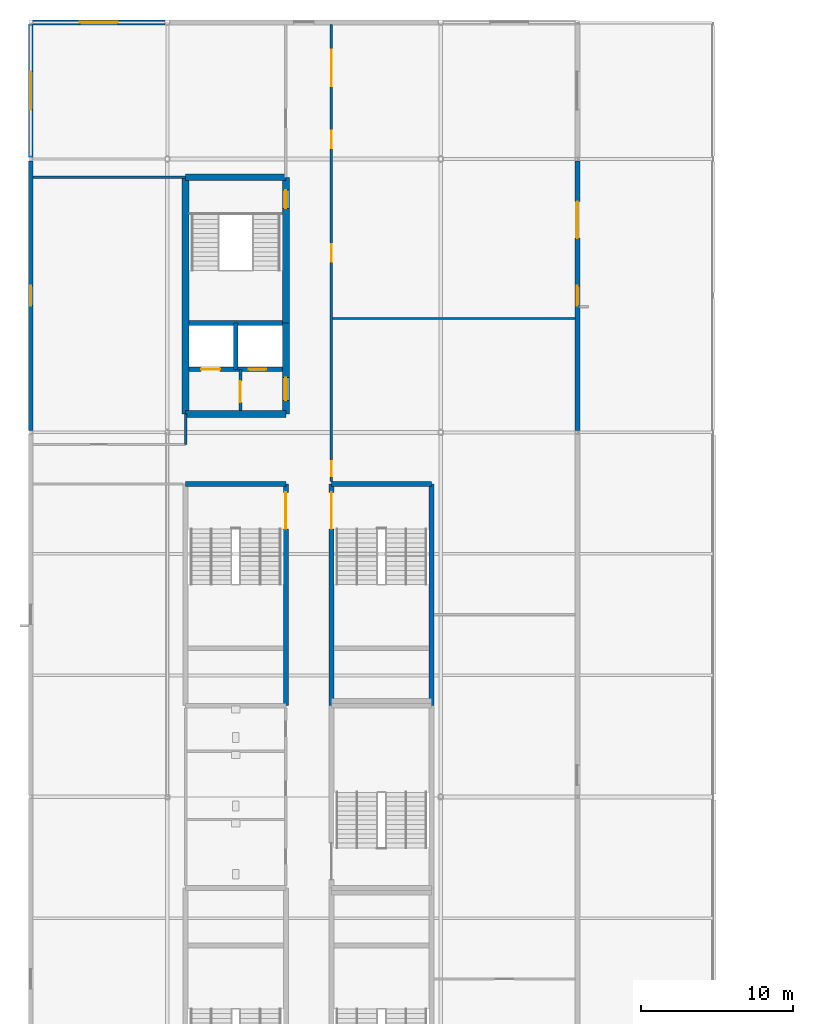
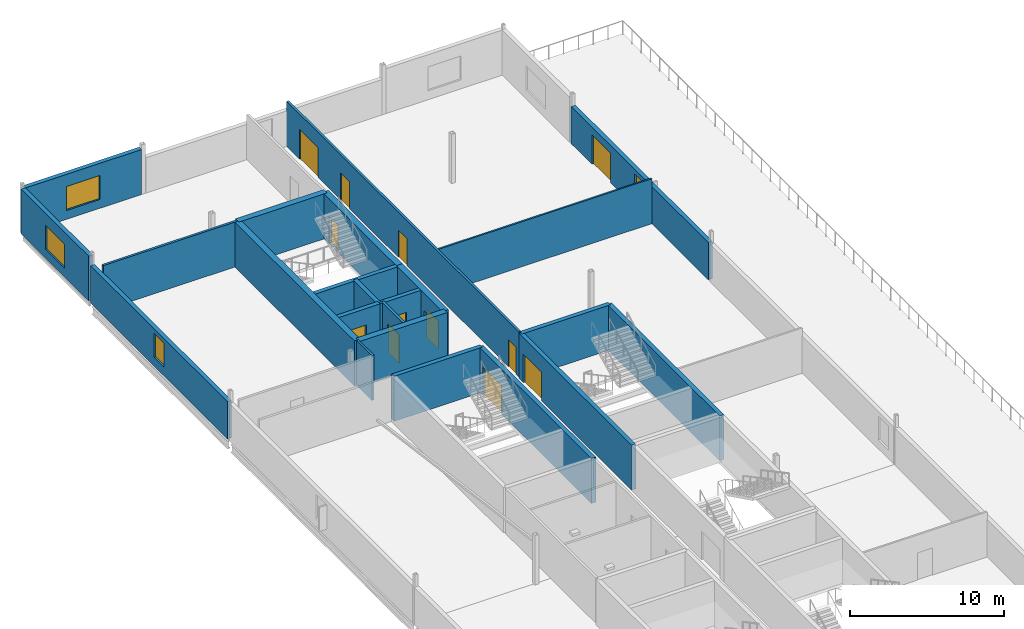
# One storey, part 29 of 55: 23 walls, 12 doors, 4 windows, 16 openings.
"""IFC4 building model written with IfcOpenShell, lengths in metres."""

from ifc_helpers import new_model, si_unit, direction, frame, frame_2d, origin, place, context, subcontext, project, spatial, rectangle, extrude, material, layer, layer_set, type_object, element, fill, save


model = new_model("IFC4")

# Units and contexts
model_context = context("Model", 3, precision=1e-05, world=origin(), true_north=direction((0.0, 1.0)))
body_context = subcontext(model_context, "Body", "Model", "MODEL_VIEW")
ifc_project = project(units=[si_unit("LENGTHUNIT", "METRE"), si_unit("AREAUNIT", "SQUARE_METRE"), si_unit("VOLUMEUNIT", "CUBIC_METRE"), si_unit("PLANEANGLEUNIT", "RADIAN"), si_unit("MASSUNIT", "GRAM", prefix="KILO")], contexts=[model_context])

# Site, building, storey
site_placement = place(None, origin())
site = spatial("IfcSite", under=ifc_project, at=site_placement, CompositionType="ELEMENT")
building_placement = place(site_placement, origin())
building = spatial("IfcBuilding", under=site, at=building_placement, Name="Kisiwana Market Hall", CompositionType="ELEMENT")
storey_placement = place(building_placement, frame((0.0, 0.0, 37.800048828125)))
storey = spatial("IfcBuildingStorey", under=building, at=storey_placement, Name="L08", CompositionType="ELEMENT", Elevation=37.800048828125)

# Wall, opening, door
ifc_material_1 = material(Name="Masonry blockwork", Category="masonry")
ifc_layer_1 = layer(ifc_material_1, 0.199951171875, Name="Plastered fire compartment block wall")
ifc_layer_set_1 = layer_set([ifc_layer_1], Name="WL-COMP-200")
wall_type_1 = type_object("IfcWallType", Name="WL-COMP-200", PredefinedType="PARTITIONING", material=ifc_layer_set_1)
wall_1_placement = place(storey_placement, frame((13.800048828125, 85.425048828125, 0.0), z_axis=(0.0, 0.0, 1.0), x_axis=(0.0, 1.0, 0.0)))
wall_1 = element("IfcWall", 1, at=wall_1_placement, inside=storey, type_object=wall_type_1, Name="Core W1 firefighting lobby wall W-2380", PredefinedType="PARTITIONING", context=body_context, shape_type="SweptSolid", body=[
    extrude(rectangle(XDim=2.72998046875, YDim=0.199951171875, at=frame_2d((1.364990234375, 0.0))), origin(), (0.0, 0.0, 1.0), 3.56494140625),
])
opening_1_placement = place(wall_1_placement, frame((0.550048828125, 0.0, 0.0)))
opening_1 = element("IfcOpeningElement", 2, at=opening_1_placement, cuts=wall_1, Name="Opening DR-L08-006", PredefinedType="OPENING", context=body_context, shape_type="SweptSolid", body=[
    extrude(rectangle(XDim=1.39990234375, YDim=2.25, at=frame_2d((0.699951171875, 1.125))), frame((0.0, 0.11181640625, 0.0), z_axis=(0.0, -1.0, 0.0), x_axis=(1.0, 0.0, 0.0)), (0.0, 0.0, 1.0), 0.223876953125),
])
ifc_material_2 = material(Name="Steel S275", Category="steel")
door_type_1 = type_object("IfcDoorType", Name="DR-FFLOB-FD120-1400", OperationType="DOUBLE_DOOR_SINGLE_SWING", PredefinedType="DOOR", material=ifc_material_2)
door_1_placement = place(opening_1_placement, frame((1.39990234375, 0.0, 0.0), z_axis=(0.0, 0.0, 1.0), x_axis=(-1.0, 0.0, 0.0)))
door_1 = element("IfcDoor", 3, at=door_1_placement, inside=storey, type_object=door_type_1, Name="Firefighting Lift Lobby W1 Door (L08)", OperationType="DOUBLE_DOOR_SINGLE_SWING", OverallHeight=2.25, OverallWidth=1.39990234375, PredefinedType="DOOR", context=body_context, shape_type="SweptSolid", body=[
    extrude(rectangle(XDim=1.39990234375, YDim=2.25, at=frame_2d((0.699951171875, 1.125))), frame((0.0, 0.02490234375, 0.0), z_axis=(0.0, -1.0, 0.0), x_axis=(1.0, 0.0, 0.0)), (0.0, 0.0, 1.0), 0.050048828125),
])
fill(opening_1, door_1)

# Walls
ifc_material_3 = material(Name="Concrete C40/50", Category="concrete")
ifc_layer_2 = layer(ifc_material_3, 0.320068359375, Name="Reinforced concrete shaft wall")
ifc_layer_set_2 = layer_set([ifc_layer_2], Name="WL-CORE-320")
wall_type_2 = type_object("IfcWallType", Name="WL-CORE-320", PredefinedType="SHEAR", material=ifc_layer_set_2)
wall_2_placement = place(storey_placement, frame((10.425048828125, 91.215087890625, 0.0), z_axis=(0.0, 0.0, 1.0), x_axis=(1.0, 0.0, 0.0)))
element("IfcWall", 4, at=wall_2_placement, inside=storey, type_object=wall_type_2, Name="Core W1 shaft back shear wall W-2276", PredefinedType="SHEAR", context=body_context, shape_type="SweptSolid", body=[
    extrude(rectangle(XDim=6.14990234375, YDim=0.320068359375, at=frame_2d((3.074951171875, 0.0))), origin(), (0.0, 0.0, 1.0), 3.56494140625),
])
wall_3_placement = place(storey_placement, frame((13.5, 88.155029296875, 0.0), z_axis=(0.0, 0.0, 1.0), x_axis=(0.0, 1.0, 0.0)))
element("IfcWall", 5, at=wall_3_placement, inside=storey, type_object=wall_type_2, Name="Core W1 inter-shaft shear wall W-2277", PredefinedType="SHEAR", context=body_context, shape_type="SweptSolid", body=[
    extrude(rectangle(XDim=3.06005859375, YDim=0.320068359375, at=frame_2d((1.530029296875, 0.0))), origin(), (0.0, 0.0, 1.0), 3.56494140625),
])

# Wall, opening, door
wall_4_placement = place(storey_placement, frame((10.425048828125, 88.155029296875, 0.0), z_axis=(0.0, 0.0, 1.0), x_axis=(1.0, 0.0, 0.0)))
wall_4 = element("IfcWall", 6, at=wall_4_placement, inside=storey, type_object=wall_type_2, Name="Core W1 west lift front wall W-2278", PredefinedType="SHEAR", context=body_context, shape_type="SweptSolid", body=[
    extrude(rectangle(XDim=3.074951171875, YDim=0.320068359375, at=frame_2d((1.53759765625, 0.0))), origin(), (0.0, 0.0, 1.0), 3.56494140625),
])
opening_2_placement = place(wall_4_placement, frame((0.800048828125, 0.0, 0.0)))
opening_2 = element("IfcOpeningElement", 7, at=opening_2_placement, cuts=wall_4, Name="Opening LD-L08-003", PredefinedType="OPENING", context=body_context, shape_type="SweptSolid", body=[
    extrude(rectangle(XDim=1.25, YDim=2.25, at=frame_2d((0.625, 1.125))), frame((0.0, 0.171875, 0.0), z_axis=(0.0, -1.0, 0.0), x_axis=(1.0, 0.0, 0.0)), (0.0, 0.0, 1.0), 0.343994140625),
])
ifc_material_4 = material(Name="Steel S275", Category="steel")
door_type_2 = type_object("IfcDoorType", Name="DR-LIFT-FFL-1250", OperationType="DOUBLE_DOOR_SLIDING", PredefinedType="DOOR", material=ifc_material_4)
door_2_placement = place(opening_2_placement, origin())
door_2 = element("IfcDoor", 8, at=door_2_placement, inside=storey, type_object=door_type_2, Name="Lift Landing Door FFL-02 (L08)", OperationType="DOUBLE_DOOR_SLIDING", OverallHeight=2.25, OverallWidth=1.25, PredefinedType="DOOR", context=body_context, shape_type="SweptSolid", body=[
    extrude(rectangle(XDim=1.25, YDim=2.25, at=frame_2d((0.625, 1.125))), frame((0.0, 0.02490234375, 0.0), z_axis=(0.0, -1.0, 0.0), x_axis=(1.0, 0.0, 0.0)), (0.0, 0.0, 1.0), 0.050048828125),
])
fill(opening_2, door_2)

wall_5_placement = place(storey_placement, frame((13.5, 88.155029296875, 0.0), z_axis=(0.0, 0.0, 1.0), x_axis=(1.0, 0.0, 0.0)))
wall_5 = element("IfcWall", 9, at=wall_5_placement, inside=storey, type_object=wall_type_2, Name="Core W1 east lift front wall W-2279", PredefinedType="SHEAR", context=body_context, shape_type="SweptSolid", body=[
    extrude(rectangle(XDim=3.074951171875, YDim=0.320068359375, at=frame_2d((1.53759765625, 0.0))), origin(), (0.0, 0.0, 1.0), 3.56494140625),
])
opening_3_placement = place(wall_5_placement, frame((0.85009765625, 0.0, 0.0)))
opening_3 = element("IfcOpeningElement", 10, at=opening_3_placement, cuts=wall_5, Name="Opening LD-L08-004", PredefinedType="OPENING", context=body_context, shape_type="SweptSolid", body=[
    extrude(rectangle(XDim=1.14990234375, YDim=2.199951171875, at=frame_2d((0.574951171875, 1.10009765625))), frame((0.0, 0.171875, 0.0), z_axis=(0.0, -1.0, 0.0), x_axis=(1.0, 0.0, 0.0)), (0.0, 0.0, 1.0), 0.343994140625),
])
ifc_material_5 = material(Name="Steel S275", Category="steel")
door_type_3 = type_object("IfcDoorType", Name="DR-LIFT-PAX-1150", OperationType="DOUBLE_DOOR_SLIDING", PredefinedType="DOOR", material=ifc_material_5)
door_3_placement = place(opening_3_placement, origin())
door_3 = element("IfcDoor", 11, at=door_3_placement, inside=storey, type_object=door_type_3, Name="Lift Landing Door LP-02 (L08)", OperationType="DOUBLE_DOOR_SLIDING", OverallHeight=2.199951171875, OverallWidth=1.14990234375, PredefinedType="DOOR", context=body_context, shape_type="SweptSolid", body=[
    extrude(rectangle(XDim=1.14990234375, YDim=2.199951171875, at=frame_2d((0.574951171875, 1.10009765625))), frame((0.0, 0.02490234375, 0.0), z_axis=(0.0, -1.0, 0.0), x_axis=(1.0, 0.0, 0.0)), (0.0, 0.0, 1.0), 0.050048828125),
])
fill(opening_3, door_3)

# Wall
wall_6_placement = place(storey_placement, frame((10.199951171875, 80.60009765625, 0.0), z_axis=(0.0, 0.0, 1.0), x_axis=(1.0, 0.0, 0.0)))
element("IfcWall", 12, at=wall_6_placement, inside=storey, type_object=wall_type_2, Name="Core W4 north shear wall W-2304", PredefinedType="SHEAR", context=body_context, shape_type="SweptSolid", body=[
    extrude(rectangle(XDim=6.60009765625, YDim=0.320068359375, at=frame_2d((3.300048828125, 0.0))), origin(), (0.0, 0.0, 1.0), 3.56494140625),
])

# Wall, opening, door
wall_7_placement = place(storey_placement, frame((16.800048828125, 66.0, 0.0), z_axis=(0.0, 0.0, 1.0), x_axis=(0.0, 1.0, 0.0)))
wall_7 = element("IfcWall", 13, at=wall_7_placement, inside=storey, type_object=wall_type_2, Name="Core W4 corridor shear wall W-2306", PredefinedType="SHEAR", context=body_context, shape_type="SweptSolid", body=[
    extrude(rectangle(XDim=14.60009765625, YDim=0.320068359375, at=frame_2d((7.300048828125, 0.0))), origin(), (0.0, 0.0, 1.0), 3.56494140625),
])
opening_4_placement = place(wall_7_placement, frame((11.64990234375, 0.0, 0.0)))
opening_4 = element("IfcOpeningElement", 14, at=opening_4_placement, cuts=wall_7, Name="Opening DR-L08-014", PredefinedType="OPENING", context=body_context, shape_type="SweptSolid", body=[
    extrude(rectangle(XDim=2.39990234375, YDim=2.25, at=frame_2d((1.199951171875, 1.125))), frame((0.0, 0.171875, 0.0), z_axis=(0.0, -1.0, 0.0), x_axis=(1.0, 0.0, 0.0)), (0.0, 0.0, 1.0), 0.343994140625),
])
ifc_material_6 = material(Name="Steel S275", Category="steel")
door_type_4 = type_object("IfcDoorType", Name="DR-STAIR-FD120-2400", OperationType="DOUBLE_DOOR_SINGLE_SWING", PredefinedType="DOOR", material=ifc_material_6)
door_4_placement = place(opening_4_placement, origin())
door_4 = element("IfcDoor", 15, at=door_4_placement, inside=storey, type_object=door_type_4, Name="Escape Stair W4 Fire Door (L08)", OperationType="DOUBLE_DOOR_SINGLE_SWING", OverallHeight=2.25, OverallWidth=2.39990234375, PredefinedType="DOOR", context=body_context, shape_type="SweptSolid", body=[
    extrude(rectangle(XDim=2.39990234375, YDim=2.25, at=frame_2d((1.199951171875, 1.125))), frame((0.0, 0.02490234375, 0.0), z_axis=(0.0, -1.0, 0.0), x_axis=(1.0, 0.0, 0.0)), (0.0, 0.0, 1.0), 0.050048828125),
])
fill(opening_4, door_4)

# Wall
wall_8_placement = place(storey_placement, frame((19.800048828125, 80.60009765625, 0.0), z_axis=(0.0, 0.0, 1.0), x_axis=(1.0, 0.0, 0.0)))
element("IfcWall", 16, at=wall_8_placement, inside=storey, type_object=wall_type_2, Name="Core W8 north shear wall W-2329", PredefinedType="SHEAR", context=body_context, shape_type="SweptSolid", body=[
    extrude(rectangle(XDim=6.599853515625, YDim=0.320068359375, at=frame_2d((3.2998046875, 0.0))), origin(), (0.0, 0.0, 1.0), 3.56494140625),
])

# Wall, opening, door
wall_9_placement = place(storey_placement, frame((19.800048828125, 66.0, 0.0), z_axis=(0.0, 0.0, 1.0), x_axis=(0.0, 1.0, 0.0)))
wall_9 = element("IfcWall", 17, at=wall_9_placement, inside=storey, type_object=wall_type_2, Name="Core W8 corridor shear wall W-2330", PredefinedType="SHEAR", context=body_context, shape_type="SweptSolid", body=[
    extrude(rectangle(XDim=14.60009765625, YDim=0.320068359375, at=frame_2d((7.300048828125, 0.0))), origin(), (0.0, 0.0, 1.0), 3.56494140625),
])
opening_5_placement = place(wall_9_placement, frame((11.64990234375, 0.0, 0.0)))
opening_5 = element("IfcOpeningElement", 18, at=opening_5_placement, cuts=wall_9, Name="Opening DR-L08-019", PredefinedType="OPENING", context=body_context, shape_type="SweptSolid", body=[
    extrude(rectangle(XDim=2.39990234375, YDim=2.25, at=frame_2d((1.199951171875, 1.125))), frame((0.0, 0.171875, 0.0), z_axis=(0.0, -1.0, 0.0), x_axis=(1.0, 0.0, 0.0)), (0.0, 0.0, 1.0), 0.343994140625),
])
door_5_placement = place(opening_5_placement, frame((2.39990234375, 0.0, 0.0), z_axis=(0.0, 0.0, 1.0), x_axis=(-1.0, 0.0, 0.0)))
door_5 = element("IfcDoor", 19, at=door_5_placement, inside=storey, type_object=door_type_4, Name="Escape Stair W8 Fire Door (L08)", OperationType="DOUBLE_DOOR_SINGLE_SWING", OverallHeight=2.25, OverallWidth=2.39990234375, PredefinedType="DOOR", context=body_context, shape_type="SweptSolid", body=[
    extrude(rectangle(XDim=2.39990234375, YDim=2.25, at=frame_2d((1.199951171875, 1.125))), frame((0.0, 0.02490234375, 0.0), z_axis=(0.0, -1.0, 0.0), x_axis=(1.0, 0.0, 0.0)), (0.0, 0.0, 1.0), 0.050048828125),
])
fill(opening_5, door_5)

# Walls
wall_10_placement = place(storey_placement, frame((26.39990234375, 66.0, 0.0), z_axis=(0.0, 0.0, 1.0), x_axis=(0.0, 1.0, 0.0)))
element("IfcWall", 20, at=wall_10_placement, inside=storey, type_object=wall_type_2, Name="Core W8 outer shear wall W-2331", PredefinedType="SHEAR", context=body_context, shape_type="SweptSolid", body=[
    extrude(rectangle(XDim=14.60009765625, YDim=0.320068359375, at=frame_2d((7.300048828125, 0.0))), origin(), (0.0, 0.0, 1.0), 3.56494140625),
])
ifc_material_7 = material(Name="Concrete C40/50", Category="concrete")
ifc_layer_3 = layer(ifc_material_7, 0.449951171875, Name="Reinforced concrete core wall")
ifc_layer_set_3 = layer_set([ifc_layer_3], Name="WL-CORE-450")
wall_type_3 = type_object("IfcWallType", Name="WL-CORE-450", PredefinedType="SHEAR", material=ifc_layer_set_3)
for number, where, z_axis, x_axis, name in (
    (21, (10.199951171875, 85.199951171875, 0.0), (0.0, 0.0, 1.0), (1.0, 0.0, 0.0), "Core W1 south shear wall W-2271"),
    (22, (10.199951171875, 100.800048828125, 0.0), (0.0, 0.0, 1.0), (1.0, 0.0, 0.0), "Core W1 north shear wall W-2272"),
):
    element("IfcWall", number, at=place(storey_placement, frame(where, z_axis=z_axis, x_axis=x_axis)), inside=storey, type_object=wall_type_3, Name=name, PredefinedType="SHEAR", context=body_context, shape_type="SweptSolid", body=[
        extrude(rectangle(XDim=6.60009765625, YDim=0.449951171875, at=frame_2d((3.300048828125, 0.0))), origin(), (0.0, 0.0, 1.0), 3.56494140625),
    ])
wall_11_placement = place(storey_placement, frame((10.199951171875, 85.199951171875, 0.0), z_axis=(0.0, 0.0, 1.0), x_axis=(0.0, 1.0, 0.0)))
element("IfcWall", 23, at=wall_11_placement, inside=storey, type_object=wall_type_3, Name="Core W1 outer shear wall W-2273", PredefinedType="SHEAR", context=body_context, shape_type="SweptSolid", body=[
    extrude(rectangle(XDim=15.60009765625, YDim=0.449951171875, at=frame_2d((7.800048828125, 0.0))), origin(), (0.0, 0.0, 1.0), 3.56494140625),
])

# Wall, opening, door
wall_12_placement = place(storey_placement, frame((16.800048828125, 85.199951171875, 0.0), z_axis=(0.0, 0.0, 1.0), x_axis=(0.0, 1.0, 0.0)))
wall_12 = element("IfcWall", 24, at=wall_12_placement, inside=storey, type_object=wall_type_3, Name="Core W1 lobby corridor shear wall W-2274", PredefinedType="SHEAR", context=body_context, shape_type="SweptSolid", body=[
    extrude(rectangle(XDim=6.01513671875, YDim=0.449951171875, at=frame_2d((3.007568359375, 0.0))), origin(), (0.0, 0.0, 1.0), 3.56494140625),
])
opening_6_placement = place(wall_12_placement, frame((0.89990234375, 0.0, 0.0)))
opening_6 = element("IfcOpeningElement", 25, at=opening_6_placement, cuts=wall_12, Name="Opening DR-L08-004", PredefinedType="OPENING", context=body_context, shape_type="SweptSolid", body=[
    extrude(rectangle(XDim=1.5, YDim=2.199951171875, at=frame_2d((0.75, 1.10009765625))), frame((0.0, 0.23681640625, 0.0), z_axis=(0.0, -1.0, 0.0), x_axis=(1.0, 0.0, 0.0)), (0.0, 0.0, 1.0), 0.473876953125),
])
ifc_material_8 = material(Name="Steel S275", Category="steel")
door_type_5 = type_object("IfcDoorType", Name="DR-CORR-FD60-1500", OperationType="DOUBLE_DOOR_SINGLE_SWING", PredefinedType="DOOR", material=ifc_material_8)
door_6_placement = place(opening_6_placement, frame((1.5, 0.0, 0.0), z_axis=(0.0, 0.0, 1.0), x_axis=(-1.0, 0.0, 0.0)))
door_6 = element("IfcDoor", 26, at=door_6_placement, inside=storey, type_object=door_type_5, Name="Passenger Lift Lobby W1 Smoke Door (L08)", OperationType="DOUBLE_DOOR_SINGLE_SWING", OverallHeight=2.199951171875, OverallWidth=1.5, PredefinedType="DOOR", context=body_context, shape_type="SweptSolid", body=[
    extrude(rectangle(XDim=1.5, YDim=2.199951171875, at=frame_2d((0.75, 1.10009765625))), frame((0.0, 0.02490234375, 0.0), z_axis=(0.0, -1.0, 0.0), x_axis=(1.0, 0.0, 0.0)), (0.0, 0.0, 1.0), 0.050048828125),
])
fill(opening_6, door_6)

wall_13_placement = place(storey_placement, frame((16.800048828125, 91.215087890625, 0.0), z_axis=(0.0, 0.0, 1.0), x_axis=(0.0, 1.0, 0.0)))
wall_13 = element("IfcWall", 27, at=wall_13_placement, inside=storey, type_object=wall_type_3, Name="Core W1 stair corridor shear wall W-2275", PredefinedType="SHEAR", context=body_context, shape_type="SweptSolid", body=[
    extrude(rectangle(XDim=9.5849609375, YDim=0.449951171875, at=frame_2d((4.79248046875, 0.0))), origin(), (0.0, 0.0, 1.0), 3.56494140625),
])
opening_7_placement = place(wall_13_placement, frame((7.534912109375, 0.0, 0.0)))
opening_7 = element("IfcOpeningElement", 28, at=opening_7_placement, cuts=wall_13, Name="Opening DR-L08-005", PredefinedType="OPENING", context=body_context, shape_type="SweptSolid", body=[
    extrude(rectangle(XDim=1.199951171875, YDim=2.199951171875, at=frame_2d((0.60009765625, 1.10009765625))), frame((0.0, 0.23681640625, 0.0), z_axis=(0.0, -1.0, 0.0), x_axis=(1.0, 0.0, 0.0)), (0.0, 0.0, 1.0), 0.473876953125),
])
ifc_material_9 = material(Name="Steel S275", Category="steel")
door_type_6 = type_object("IfcDoorType", Name="DR-STAIR-FD120-1200", OperationType="NOTDEFINED", PredefinedType="DOOR", material=ifc_material_9)
door_7_placement = place(opening_7_placement, origin())
door_7 = element("IfcDoor", 29, at=door_7_placement, inside=storey, type_object=door_type_6, Name="Escape Stair W1 Fire Door (L08)", OperationType="SINGLE_SWING_RIGHT", OverallHeight=2.199951171875, OverallWidth=1.199951171875, PredefinedType="DOOR", context=body_context, shape_type="SweptSolid", body=[
    extrude(rectangle(XDim=1.199951171875, YDim=2.199951171875, at=frame_2d((0.60009765625, 1.10009765625))), frame((0.0, 0.02490234375, 0.0), z_axis=(0.0, -1.0, 0.0), x_axis=(1.0, 0.0, 0.0)), (0.0, 0.0, 1.0), 0.050048828125),
])
fill(opening_7, door_7)

# Wall
ifc_material_10 = material(Name="Masonry blockwork", Category="masonry")
ifc_layer_4 = layer(ifc_material_10, 0.169921875, Name="Protected corridor partition")
ifc_layer_set_4 = layer_set([ifc_layer_4], Name="WL-CORR-170")
wall_type_4 = type_object("IfcWallType", Name="WL-CORR-170", PredefinedType="PARTITIONING", material=ifc_layer_set_4)
wall_14_placement = place(storey_placement, frame((0.14501953125, 100.800048828125, 0.0), z_axis=(0.0, 0.0, 1.0), x_axis=(1.0, 0.0, 0.0)))
element("IfcWall", 30, at=wall_14_placement, inside=storey, type_object=wall_type_4, Name="Interior partition W-2390", PredefinedType="PARTITIONING", context=body_context, shape_type="SweptSolid", body=[
    extrude(rectangle(XDim=10.054931640625, YDim=0.169921875, at=frame_2d((5.02734375, 0.0))), origin(), (0.0, 0.0, 1.0), 3.56494140625),
])

# Wall, openings, doors
wall_15_placement = place(storey_placement, frame((19.800048828125, 80.760009765625, 0.0), z_axis=(0.0, 0.0, 1.0), x_axis=(0.0, 1.0, 0.0)))
wall_15 = element("IfcWall", 31, at=wall_15_placement, inside=storey, type_object=wall_type_4, Name="Interior partition W-2402", PredefinedType="PARTITIONING", context=body_context, shape_type="SweptSolid", body=[
    extrude(rectangle(XDim=30.094970703125, YDim=0.169921875, at=frame_2d((15.04736328125, 0.0))), origin(), (0.0, 0.0, 1.0), 3.56494140625),
])
opening_8_placement = place(wall_15_placement, frame((0.35009765625, 0.0, 0.0)))
opening_8 = element("IfcOpeningElement", 32, at=opening_8_placement, cuts=wall_15, Name="Opening DR-L08-036", PredefinedType="OPENING", context=body_context, shape_type="SweptSolid", body=[
    extrude(rectangle(XDim=1.0, YDim=2.14990234375, at=frame_2d((0.5, 1.074951171875))), frame((0.0, 0.096923828125, 0.0), z_axis=(0.0, -1.0, 0.0), x_axis=(1.0, 0.0, 0.0)), (0.0, 0.0, 1.0), 0.19384765625),
])
opening_9_placement = place(wall_15_placement, frame((21.949951171875, 0.0, 0.0)))
opening_9 = element("IfcOpeningElement", 33, at=opening_9_placement, cuts=wall_15, Name="Opening DR-L08-037", PredefinedType="OPENING", context=body_context, shape_type="SweptSolid", body=[
    extrude(rectangle(XDim=1.14990234375, YDim=2.14990234375, at=frame_2d((0.574951171875, 1.074951171875))), frame((0.0, 0.096923828125, 0.0), z_axis=(0.0, -1.0, 0.0), x_axis=(1.0, 0.0, 0.0)), (0.0, 0.0, 1.0), 0.19384765625),
])
opening_10_placement = place(wall_15_placement, frame((26.0400390625, 0.0, 0.0)))
opening_10 = element("IfcOpeningElement", 34, at=opening_10_placement, cuts=wall_15, Name="Opening DR-L08-038", PredefinedType="OPENING", context=body_context, shape_type="SweptSolid", body=[
    extrude(rectangle(XDim=2.39990234375, YDim=2.35009765625, at=frame_2d((1.199951171875, 1.175048828125))), frame((0.0, 0.096923828125, 0.0), z_axis=(0.0, -1.0, 0.0), x_axis=(1.0, 0.0, 0.0)), (0.0, 0.0, 1.0), 0.19384765625),
])
opening_11_placement = place(wall_15_placement, frame((14.472900390625, 0.0, 0.0)))
opening_11 = element("IfcOpeningElement", 35, at=opening_11_placement, cuts=wall_15, Name="Opening DR-L08-039", PredefinedType="OPENING", context=body_context, shape_type="SweptSolid", body=[
    extrude(rectangle(XDim=1.14990234375, YDim=2.14990234375, at=frame_2d((0.574951171875, 1.074951171875))), frame((0.0, 0.096923828125, 0.0), z_axis=(0.0, -1.0, 0.0), x_axis=(1.0, 0.0, 0.0)), (0.0, 0.0, 1.0), 0.19384765625),
])
ifc_material_11 = material(Name="Steel S275", Category="steel")
door_type_7 = type_object("IfcDoorType", Name="DR-HALL-2400", OperationType="DOUBLE_DOOR_SINGLE_SWING", PredefinedType="DOOR", material=ifc_material_11)
door_8_placement = place(opening_10_placement, frame((2.39990234375, 0.0, 0.0), z_axis=(0.0, 0.0, 1.0), x_axis=(-1.0, 0.0, 0.0)))
door_8 = element("IfcDoor", 36, at=door_8_placement, inside=storey, type_object=door_type_7, Name="L08 W Client Briefing Room M5 Second Door", OperationType="DOUBLE_DOOR_SINGLE_SWING", OverallHeight=2.35009765625, OverallWidth=2.39990234375, PredefinedType="DOOR", context=body_context, shape_type="SweptSolid", body=[
    extrude(rectangle(XDim=2.39990234375, YDim=2.35009765625, at=frame_2d((1.199951171875, 1.175048828125))), frame((0.0, 0.02490234375, 0.0), z_axis=(0.0, -1.0, 0.0), x_axis=(1.0, 0.0, 0.0)), (0.0, 0.0, 1.0), 0.050048828125),
])
fill(opening_10, door_8)
ifc_material_12 = material(Name="Aluminium alloy 6063-T6", Category="aluminium")
door_type_8 = type_object("IfcDoorType", Name="DR-MEET-1150", OperationType="NOTDEFINED", PredefinedType="DOOR", material=ifc_material_12)
door_9_placement = place(opening_9_placement, frame((1.14990234375, 0.0, 0.0), z_axis=(0.0, 0.0, 1.0), x_axis=(-1.0, 0.0, 0.0)))
door_9 = element("IfcDoor", 37, at=door_9_placement, inside=storey, type_object=door_type_8, Name="L08 W Client Briefing Room M5 Door", OperationType="SINGLE_SWING_LEFT", OverallHeight=2.14990234375, OverallWidth=1.14990234375, PredefinedType="DOOR", context=body_context, shape_type="SweptSolid", body=[
    extrude(rectangle(XDim=1.14990234375, YDim=2.14990234375, at=frame_2d((0.574951171875, 1.074951171875))), frame((0.0, 0.02490234375, 0.0), z_axis=(0.0, -1.0, 0.0), x_axis=(1.0, 0.0, 0.0)), (0.0, 0.0, 1.0), 0.050048828125),
])
fill(opening_9, door_9)
door_10_placement = place(opening_11_placement, frame((1.14990234375, 0.0, 0.0), z_axis=(0.0, 0.0, 1.0), x_axis=(-1.0, 0.0, 0.0)))
door_10 = element("IfcDoor", 38, at=door_10_placement, inside=storey, type_object=door_type_8, Name="L08 W Engineering Design Studio M3 Door", OperationType="SINGLE_SWING_RIGHT", OverallHeight=2.14990234375, OverallWidth=1.14990234375, PredefinedType="DOOR", context=body_context, shape_type="SweptSolid", body=[
    extrude(rectangle(XDim=1.14990234375, YDim=2.14990234375, at=frame_2d((0.574951171875, 1.074951171875))), frame((0.0, 0.02490234375, 0.0), z_axis=(0.0, -1.0, 0.0), x_axis=(1.0, 0.0, 0.0)), (0.0, 0.0, 1.0), 0.050048828125),
])
fill(opening_11, door_10)
ifc_material_13 = material(Name="Aluminium alloy 6063-T6", Category="aluminium")
door_type_9 = type_object("IfcDoorType", Name="DR-OFF-1000", OperationType="NOTDEFINED", PredefinedType="DOOR", material=ifc_material_13)
door_11_placement = place(opening_8_placement, frame((1.0, 0.0, 0.0), z_axis=(0.0, 0.0, 1.0), x_axis=(-1.0, 0.0, 0.0)))
door_11 = element("IfcDoor", 39, at=door_11_placement, inside=storey, type_object=door_type_9, Name="L08 W Mid-Rise Office Suite M4 Door", OperationType="SINGLE_SWING_RIGHT", OverallHeight=2.14990234375, OverallWidth=1.0, PredefinedType="DOOR", context=body_context, shape_type="SweptSolid", body=[
    extrude(rectangle(XDim=1.0, YDim=2.14990234375, at=frame_2d((0.5, 1.074951171875))), frame((0.0, 0.02490234375, 0.0), z_axis=(0.0, -1.0, 0.0), x_axis=(1.0, 0.0, 0.0)), (0.0, 0.0, 1.0), 0.050048828125),
])
fill(opening_8, door_11)

# Wall, opening, window
ifc_material_14 = material(Name="Concrete C40/50 precast", Category="concrete")
ifc_layer_5 = layer(ifc_material_14, 0.31494140625)
ifc_layer_set_5 = layer_set([ifc_layer_5], Name="WL-EXT-315")
wall_type_5 = type_object("IfcWallType", Name="WL-EXT-315", PredefinedType="STANDARD", material=ifc_layer_set_5)
wall_16_placement = place(storey_placement, frame((0.114990234375, 111.0, 0.0), z_axis=(0.0, 0.0, 1.0), x_axis=(1.0, 0.0, 0.0)))
wall_16 = element("IfcWall", 40, at=wall_16_placement, inside=storey, type_object=wall_type_5, Name="Exterior wall W-2350", PredefinedType="STANDARD", context=body_context, shape_type="SweptSolid", body=[
    extrude(rectangle(XDim=8.731201171875, YDim=0.31494140625, at=frame_2d((4.36572265625, 0.0))), origin(), (0.0, 0.0, 1.0), 3.56494140625),
])
opening_12_placement = place(wall_16_placement, frame((3.115478515625, 0.0, 0.699951171875)))
opening_12 = element("IfcOpeningElement", 41, at=opening_12_placement, cuts=wall_16, Name="Opening WN-17", PredefinedType="OPENING", context=body_context, shape_type="SweptSolid", body=[
    extrude(rectangle(XDim=2.5, YDim=1.89990234375, at=frame_2d((1.25, 0.949951171875))), frame((0.0, 0.16943359375, 0.0), z_axis=(0.0, -1.0, 0.0), x_axis=(1.0, 0.0, 0.0)), (0.0, 0.0, 1.0), 0.3388671875),
])
ifc_material_15 = material(Name="Double-glazed solar-control low-E IGU", Category="glass")
window_type_1 = type_object("IfcWindowType", Name="WN-OFFB-2500x1900", PartitioningType="SINGLE_PANEL", PredefinedType="WINDOW", material=ifc_material_15)
window_1_placement = place(opening_12_placement, origin())
window_1 = element("IfcWindow", 42, at=window_1_placement, inside=storey, type_object=window_type_1, Name="Exterior window WN-249", OverallHeight=1.89990234375, OverallWidth=2.5, PartitioningType="SINGLE_PANEL", PredefinedType="WINDOW", context=body_context, shape_type="SweptSolid", body=[
    extrude(rectangle(XDim=2.5, YDim=1.89990234375, at=frame_2d((1.25, 0.949951171875))), frame((0.0, 0.030029296875, 0.0), z_axis=(0.0, -1.0, 0.0), x_axis=(1.0, 0.0, 0.0)), (0.0, 0.0, 1.0), 0.06005859375),
])
fill(opening_12, window_1)

wall_17_placement = place(storey_placement, frame((0.0, 84.114990234375, 0.0), z_axis=(0.0, 0.0, 1.0), x_axis=(0.0, 1.0, 0.0)))
wall_17 = element("IfcWall", 43, at=wall_17_placement, inside=storey, type_object=wall_type_5, Name="Exterior wall W-2359", PredefinedType="STANDARD", context=body_context, shape_type="SweptSolid", body=[
    extrude(rectangle(XDim=17.77001953125, YDim=0.31494140625, at=frame_2d((8.885009765625, 0.0))), origin(), (0.0, 0.0, 1.0), 2.95263671875),
])
opening_13_placement = place(wall_17_placement, frame((8.235107421875, 0.0, 0.699951171875)))
opening_13 = element("IfcOpeningElement", 44, at=opening_13_placement, cuts=wall_17, Name="Opening WN-08", PredefinedType="OPENING", context=body_context, shape_type="SweptSolid", body=[
    extrude(rectangle(XDim=1.300048828125, YDim=1.89990234375, at=frame_2d((0.64990234375, 0.949951171875))), frame((0.0, 0.16943359375, 0.0), z_axis=(0.0, -1.0, 0.0), x_axis=(1.0, 0.0, 0.0)), (0.0, 0.0, 1.0), 0.3388671875),
])
ifc_material_16 = material(Name="Double-glazed solar-control low-E IGU", Category="glass")
window_type_2 = type_object("IfcWindowType", Name="WN-OFFB-1300x1900", PartitioningType="SINGLE_PANEL", PredefinedType="WINDOW", material=ifc_material_16)
window_2_placement = place(opening_13_placement, origin())
window_2 = element("IfcWindow", 45, at=window_2_placement, inside=storey, type_object=window_type_2, Name="Exterior window WN-234", OverallHeight=1.89990234375, OverallWidth=1.300048828125, PartitioningType="SINGLE_PANEL", PredefinedType="WINDOW", context=body_context, shape_type="SweptSolid", body=[
    extrude(rectangle(XDim=1.300048828125, YDim=1.89990234375, at=frame_2d((0.64990234375, 0.949951171875))), frame((0.0, 0.030029296875, 0.0), z_axis=(0.0, -1.0, 0.0), x_axis=(1.0, 0.0, 0.0)), (0.0, 0.0, 1.0), 0.06005859375),
])
fill(opening_13, window_2)

wall_18_placement = place(storey_placement, frame((0.0, 102.114990234375, 0.0), z_axis=(0.0, 0.0, 1.0), x_axis=(0.0, 1.0, 0.0)))
wall_18 = element("IfcWall", 46, at=wall_18_placement, inside=storey, type_object=wall_type_5, Name="Exterior wall W-2360", PredefinedType="STANDARD", context=body_context, shape_type="SweptSolid", body=[
    extrude(rectangle(XDim=8.77001953125, YDim=0.31494140625, at=frame_2d((4.385009765625, 0.0))), origin(), (0.0, 0.0, 1.0), 3.56494140625),
])
opening_14_placement = place(wall_18_placement, frame((3.135009765625, 0.0, 0.699951171875)))
opening_14 = element("IfcOpeningElement", 47, at=opening_14_placement, cuts=wall_18, Name="Opening WN-17", PredefinedType="OPENING", context=body_context, shape_type="SweptSolid", body=[
    extrude(rectangle(XDim=2.5, YDim=1.89990234375, at=frame_2d((1.25, 0.949951171875))), frame((0.0, 0.16943359375, 0.0), z_axis=(0.0, -1.0, 0.0), x_axis=(1.0, 0.0, 0.0)), (0.0, 0.0, 1.0), 0.3388671875),
])
window_3_placement = place(opening_14_placement, origin())
window_3 = element("IfcWindow", 48, at=window_3_placement, inside=storey, type_object=window_type_1, Name="Exterior window WN-253", OverallHeight=1.89990234375, OverallWidth=2.5, PartitioningType="SINGLE_PANEL", PredefinedType="WINDOW", context=body_context, shape_type="SweptSolid", body=[
    extrude(rectangle(XDim=2.5, YDim=1.89990234375, at=frame_2d((1.25, 0.949951171875))), frame((0.0, 0.030029296875, 0.0), z_axis=(0.0, -1.0, 0.0), x_axis=(1.0, 0.0, 0.0)), (0.0, 0.0, 1.0), 0.06005859375),
])
fill(opening_14, window_3)

# Wall, openings, door, window
wall_19_placement = place(storey_placement, frame((36.0, 84.114990234375, 0.0), z_axis=(0.0, 0.0, 1.0), x_axis=(0.0, 1.0, 0.0)))
wall_19 = element("IfcWall", 49, at=wall_19_placement, inside=storey, type_object=wall_type_5, Name="Exterior wall W-2365", PredefinedType="STANDARD", context=body_context, shape_type="SweptSolid", body=[
    extrude(rectangle(XDim=17.77001953125, YDim=0.31494140625, at=frame_2d((8.885009765625, 0.0))), origin(), (0.0, 0.0, 1.0), 2.95263671875),
])
opening_15_placement = place(wall_19_placement, frame((8.235107421875, 0.0, 0.699951171875)))
opening_15 = element("IfcOpeningElement", 50, at=opening_15_placement, cuts=wall_19, Name="Opening WN-08", PredefinedType="OPENING", context=body_context, shape_type="SweptSolid", body=[
    extrude(rectangle(XDim=1.300048828125, YDim=1.89990234375, at=frame_2d((0.64990234375, 0.949951171875))), frame((0.0, 0.16943359375, 0.0), z_axis=(0.0, -1.0, 0.0), x_axis=(1.0, 0.0, 0.0)), (0.0, 0.0, 1.0), 0.3388671875),
])
opening_16_placement = place(wall_19_placement, frame((12.68505859375, 0.0, 0.0)))
opening_16 = element("IfcOpeningElement", 51, at=opening_16_placement, cuts=wall_19, Name="Opening DR-L08-990", PredefinedType="OPENING", context=body_context, shape_type="SweptSolid", body=[
    extrude(rectangle(XDim=2.39990234375, YDim=2.35009765625, at=frame_2d((1.199951171875, 1.175048828125))), frame((0.0, 0.16943359375, 0.0), z_axis=(0.0, -1.0, 0.0), x_axis=(1.0, 0.0, 0.0)), (0.0, 0.0, 1.0), 0.3388671875),
])
ifc_material_17 = material(Name="Aluminium alloy 6063-T6", Category="aluminium")
door_type_10 = type_object("IfcDoorType", Name="DR-EXT-TERR-2400", OperationType="DOUBLE_DOOR_SINGLE_SWING", PredefinedType="DOOR", material=ifc_material_17)
door_12_placement = place(opening_16_placement, origin())
door_12 = element("IfcDoor", 52, at=door_12_placement, inside=storey, type_object=door_type_10, Name="Exterior terrace access door DR-L08-990", OperationType="DOUBLE_DOOR_SINGLE_SWING", OverallHeight=2.35009765625, OverallWidth=2.39990234375, PredefinedType="DOOR", context=body_context, shape_type="SweptSolid", body=[
    extrude(rectangle(XDim=2.39990234375, YDim=2.35009765625, at=frame_2d((1.199951171875, 1.175048828125))), frame((0.0, 0.02490234375, 0.0), z_axis=(0.0, -1.0, 0.0), x_axis=(1.0, 0.0, 0.0)), (0.0, 0.0, 1.0), 0.050048828125),
])
fill(opening_16, door_12)
window_4_placement = place(opening_15_placement, origin())
window_4 = element("IfcWindow", 53, at=window_4_placement, inside=storey, type_object=window_type_2, Name="Exterior window WN-238", OverallHeight=1.89990234375, OverallWidth=1.300048828125, PartitioningType="SINGLE_PANEL", PredefinedType="WINDOW", context=body_context, shape_type="SweptSolid", body=[
    extrude(rectangle(XDim=1.300048828125, YDim=1.89990234375, at=frame_2d((0.64990234375, 0.949951171875))), frame((0.0, 0.030029296875, 0.0), z_axis=(0.0, -1.0, 0.0), x_axis=(1.0, 0.0, 0.0)), (0.0, 0.0, 1.0), 0.06005859375),
])
fill(opening_15, window_4)

# Walls
ifc_material_18 = material(Name="Gypsum plasterboard")
ifc_layer_6 = layer(ifc_material_18, 0.125, Name="Double gypsum board + acoustic stud")
ifc_layer_set_6 = layer_set([ifc_layer_6], Name="WL-OFF-125")
wall_type_6 = type_object("IfcWallType", Name="WL-OFF-125", PredefinedType="PARTITIONING", material=ifc_layer_set_6)
wall_20_placement = place(storey_placement, frame((19.885009765625, 91.5, 0.0), z_axis=(0.0, 0.0, 1.0), x_axis=(1.0, 0.0, 0.0)))
element("IfcWall", 54, at=wall_20_placement, inside=storey, type_object=wall_type_6, Name="Interior partition W-2400", PredefinedType="PARTITIONING", context=body_context, shape_type="SweptSolid", body=[
    extrude(rectangle(XDim=15.969970703125, YDim=0.125, at=frame_2d((7.98486328125, 0.0))), origin(), (0.0, 0.0, 1.0), 3.56494140625),
])
ifc_material_19 = material(Name="Masonry blockwork", Category="masonry")
ifc_layer_7 = layer(ifc_material_19, 0.159912109375)
ifc_layer_set_7 = layer_set([ifc_layer_7], Name="WL-PART-160")
wall_type_7 = type_object("IfcWallType", Name="WL-PART-160", PredefinedType="PARTITIONING", material=ifc_layer_set_7)
wall_21_placement = place(storey_placement, frame((10.199951171875, 83.199951171875, 0.0), z_axis=(0.0, 0.0, 1.0), x_axis=(0.0, 1.0, 0.0)))
element("IfcWall", 55, at=wall_21_placement, inside=storey, type_object=wall_type_7, Name="Interior partition W-2388", PredefinedType="PARTITIONING", context=body_context, shape_type="SweptSolid", body=[
    extrude(rectangle(XDim=2.0, YDim=0.159912109375, at=frame_2d((1.0, 0.0))), origin(), (0.0, 0.0, 1.0), 3.56494140625),
])

save(model, "model.ifc")
